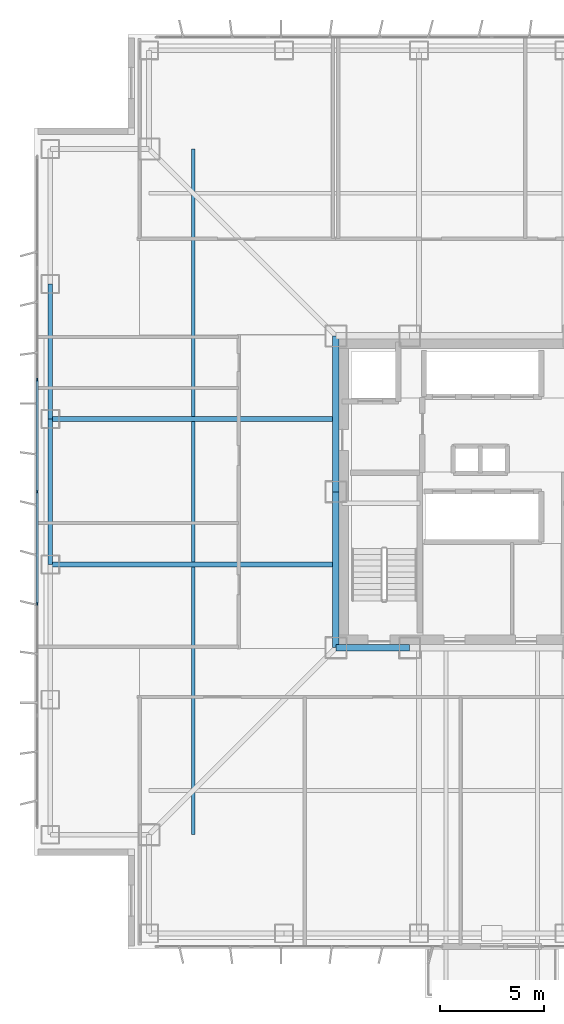
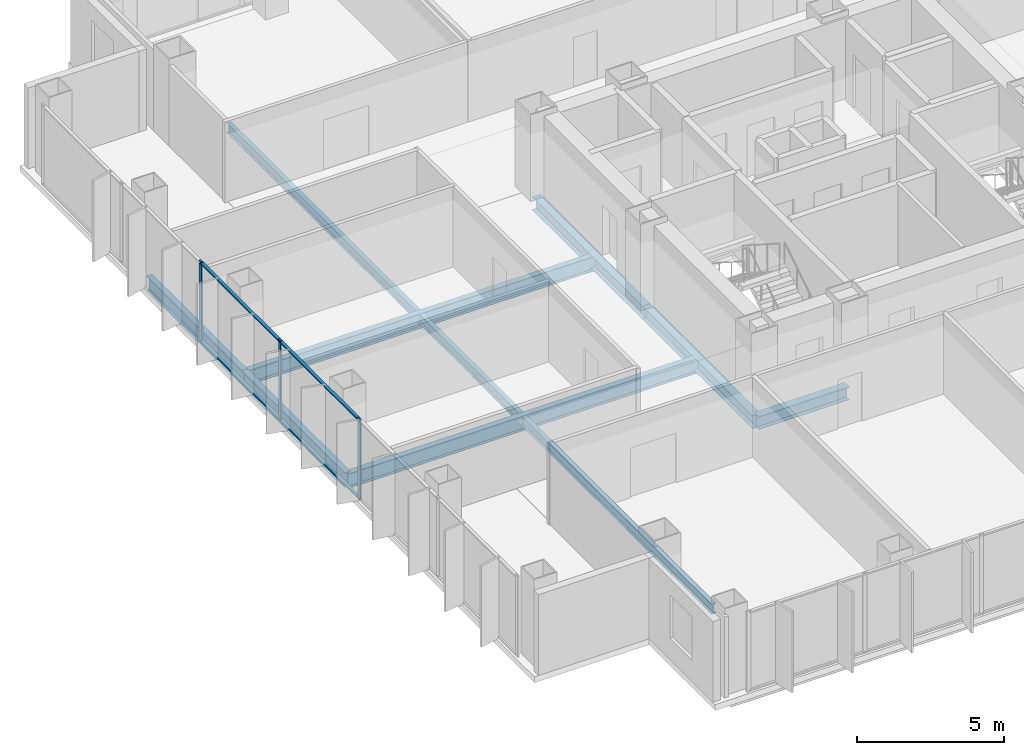
# One storey, part 5 of 18: 8 beams, 7 members, 1 element without a shape of its own.
"""IFC4 building model written with IfcOpenShell, lengths in metres."""

from ifc_helpers import new_model, si_unit, direction, frame, origin, origin_2d, place, context, subcontext, project, spatial, rectangle, i_section, extrude, material, layer, layer_set, material_profile, profile_set, type_object, element, aggregate, save


model = new_model("IFC4")

# Units and contexts
model_context = context("Model", 3, precision=1e-05, world=origin(), true_north=direction((0.0, 1.0)))
body_context = subcontext(model_context, "Body", "Model", "MODEL_VIEW")
ifc_project = project(units=[si_unit("LENGTHUNIT", "METRE"), si_unit("AREAUNIT", "SQUARE_METRE"), si_unit("VOLUMEUNIT", "CUBIC_METRE"), si_unit("PLANEANGLEUNIT", "RADIAN"), si_unit("MASSUNIT", "GRAM", prefix="KILO")], contexts=[model_context])

# Site, building, storey
site_placement = place(None, origin())
site = spatial("IfcSite", under=ifc_project, at=site_placement, CompositionType="ELEMENT")
building_placement = place(site_placement, origin())
building = spatial("IfcBuilding", under=site, at=building_placement, Name="Trevonay Congress Spire", CompositionType="ELEMENT")
storey_placement = place(building_placement, frame((0.0, 0.0, 104.800048828125)))
storey = spatial("IfcBuildingStorey", under=building, at=storey_placement, Name="L26", CompositionType="ELEMENT", Elevation=104.800048828125)

# Beams
ifc_material_1 = material(Name="Steel ASTM A572 Grade 50", Category="steel")
ifc_material_profile_1 = material_profile(ifc_material_1, i_section(OverallWidth=0.31201171875, OverallDepth=0.54296875, WebThickness=0.0126953125, FlangeThickness=0.020263671875, FilletRadius=0.014892578125, at=origin_2d()), Name="W530x150")
ifc_profile_set_1 = profile_set([ifc_material_profile_1], Name="Steel ASTM A572 Grade 50")
beam_type_1 = type_object("IfcBeamType", Name="BM-GIRD-W530X150", PredefinedType="BEAM", material=ifc_profile_set_1)
beam_1_placement = place(storey_placement, frame((-7.5, -7.5, -0.511474609375), z_axis=(1.0, 0.0, 0.0), x_axis=(0.0, 1.0, 0.0)))
element("IfcBeam", 1, at=beam_1_placement, inside=storey, type_object=beam_type_1, Name="L26 structural beam BM-L26-CR-S1", PredefinedType="BEAM", context=body_context, shape_type="SweptSolid", body=[
    extrude(i_section(OverallWidth=0.31201171875, OverallDepth=0.54296875, WebThickness=0.0126953125, FlangeThickness=0.020263671875, FilletRadius=0.014892578125, at=origin_2d()), origin(), (0.0, 0.0, 1.0), 3.550048828125),
])
for number, where, z_axis, x_axis, name in (
    (2, (-7.5, -7.5, -0.511474609375), (0.0, 1.0, 0.0), (-1.0, 0.0, 0.0), "L26 structural beam BM-L26-CR-W1"),
    (3, (-7.5, 0.0, -0.511474609375), (0.0, 1.0, 0.0), (-1.0, 0.0, 0.0), "L26 structural beam BM-L26-CR-W2"),
):
    element("IfcBeam", number, at=place(storey_placement, frame(where, z_axis=z_axis, x_axis=x_axis)), inside=storey, type_object=beam_type_1, Name=name, PredefinedType="BEAM", context=body_context, shape_type="SweptSolid", body=[
        extrude(i_section(OverallWidth=0.31201171875, OverallDepth=0.54296875, WebThickness=0.0126953125, FlangeThickness=0.020263671875, FilletRadius=0.014892578125, at=origin_2d()), origin(), (0.0, 0.0, 1.0), 7.5),
    ])
ifc_material_profile_2 = material_profile(ifc_material_1, i_section(OverallWidth=0.22998046875, OverallDepth=0.616943359375, WebThickness=0.01318359375, FlangeThickness=0.022216796875, FilletRadius=0.01611328125, at=origin_2d()), Name="W610x140")
ifc_profile_set_2 = profile_set([ifc_material_profile_2], Name="Steel ASTM A572 Grade 50")
beam_type_2 = type_object("IfcBeamType", Name="BM-GIRD-W610X140", PredefinedType="BEAM", material=ifc_profile_set_2)
for number, where, z_axis, x_axis, name in (
    (4, (-7.5, -3.5, -0.548583984375), (-1.0, 0.0, 0.0), (0.0, -1.0, 0.0), "L26 structural beam BM-L26-GW-M"),
    (5, (-7.5, 3.5, -0.548583984375), (-1.0, 0.0, 0.0), (0.0, -1.0, 0.0), "L26 structural beam BM-L26-GW-P"),
):
    element("IfcBeam", number, at=place(storey_placement, frame(where, z_axis=z_axis, x_axis=x_axis)), inside=storey, type_object=beam_type_2, Name=name, PredefinedType="BEAM", context=body_context, shape_type="SweptSolid", body=[
        extrude(i_section(OverallWidth=0.22998046875, OverallDepth=0.616943359375, WebThickness=0.01318359375, FlangeThickness=0.022216796875, FilletRadius=0.01611328125, at=origin_2d()), origin(), (0.0, 0.0, 1.0), 13.75),
    ])
ifc_material_profile_3 = material_profile(ifc_material_1, i_section(OverallWidth=0.22802734375, OverallDepth=0.60791015625, WebThickness=0.01123046875, FlangeThickness=0.017333984375, FilletRadius=0.01611328125, at=origin_2d()), Name="W610x113")
ifc_profile_set_3 = profile_set([ifc_material_profile_3], Name="Steel ASTM A572 Grade 50")
beam_type_3 = type_object("IfcBeamType", Name="BM-RING-W610X113", PredefinedType="BEAM", material=ifc_profile_set_3)
beam_2_placement = place(storey_placement, frame((-21.25, -3.5, -0.5439453125), z_axis=(0.0, 1.0, 0.0), x_axis=(-1.0, 0.0, 0.0)))
element("IfcBeam", 6, at=beam_2_placement, inside=storey, type_object=beam_type_3, Name="L26 structural beam BM-L26-PW3", PredefinedType="BEAM", context=body_context, shape_type="SweptSolid", body=[
    extrude(i_section(OverallWidth=0.22802734375, OverallDepth=0.60791015625, WebThickness=0.01123046875, FlangeThickness=0.017333984375, FilletRadius=0.01611328125, at=origin_2d()), origin(), (0.0, 0.0, 1.0), 7.0),
])
beam_3_placement = place(storey_placement, frame((-21.25, 3.5, -0.5439453125), z_axis=(0.0, 1.0, 0.0), x_axis=(-1.0, 0.0, 0.0)))
element("IfcBeam", 7, at=beam_3_placement, inside=storey, type_object=beam_type_3, Name="L26 structural beam BM-L26-PW4", PredefinedType="BEAM", context=body_context, shape_type="SweptSolid", body=[
    extrude(i_section(OverallWidth=0.22802734375, OverallDepth=0.60791015625, WebThickness=0.01123046875, FlangeThickness=0.017333984375, FilletRadius=0.01611328125, at=origin_2d()), origin(), (0.0, 0.0, 1.0), 6.5),
])

# Curtain wall, members
ifc_material_2 = material(Name="Pale Anodised Aluminium EN AW-6063-T6", Category="aluminium")
ifc_layer = layer(ifc_material_2, 0.175048828125, Name="Pale Anodised Aluminium EN AW-6063-T6")
ifc_layer_set = layer_set([ifc_layer], Name="Pale Anodised Aluminium EN AW-6063-T6")
curtain_wall_type = type_object("IfcCurtainWallType", Name="CW-SYS03-CONGRESS-PALE-METAL", PredefinedType="NOTDEFINED", material=ifc_layer_set)
curtain_wall_placement = place(storey_placement, origin())
curtain_wall = element("IfcCurtainWall", 8, at=curtain_wall_placement, inside=storey, type_object=curtain_wall_type, Name="L26 W unitised curtain wall", PredefinedType="NOTDEFINED")
ifc_material_profile_4 = material_profile(ifc_material_2, rectangle(XDim=0.06005859375, YDim=0.159912109375, at=origin_2d()), Name="CW-MULLION-160-ALUMINIUM")
ifc_profile_set_4 = profile_set([ifc_material_profile_4], Name="Pale Anodised Aluminium EN AW-6063-T6")
member_type_1 = type_object("IfcMemberType", Name="CW-MULLION-160-ALUMINIUM", PredefinedType="MULLION", material=ifc_profile_set_4)
member_1_placement = place(storey_placement, frame((-21.8798828125, -5.38330078125, 0.0), z_axis=(0.0, 0.0, 1.0), x_axis=(-1.0, 0.0, 0.0)))
member_1 = element("IfcMember", 9, at=member_1_placement, type_object=member_type_1, Name="CW03 mullion 3", PredefinedType="MULLION", context=body_context, shape_type="SweptSolid", body=[
    extrude(rectangle(XDim=0.06005859375, YDim=0.159912109375, at=origin_2d()), origin(), (0.0, 0.0, 1.0), 3.35986328125),
])
member_2_placement = place(storey_placement, frame((-21.8798828125, 0.0, 0.0), z_axis=(0.0, 0.0, 1.0), x_axis=(-1.0, 0.0, 0.0)))
member_2 = element("IfcMember", 10, at=member_2_placement, type_object=member_type_1, Name="CW03 mullion 4", PredefinedType="MULLION", context=body_context, shape_type="SweptSolid", body=[
    extrude(rectangle(XDim=0.06005859375, YDim=0.159912109375, at=origin_2d()), origin(), (0.0, 0.0, 1.0), 3.35986328125),
])
member_3_placement = place(storey_placement, frame((-21.8798828125, 5.38330078125, 0.0), z_axis=(0.0, 0.0, 1.0), x_axis=(-1.0, 0.0, 0.0)))
member_3 = element("IfcMember", 11, at=member_3_placement, type_object=member_type_1, Name="CW03 mullion 5", PredefinedType="MULLION", context=body_context, shape_type="SweptSolid", body=[
    extrude(rectangle(XDim=0.06005859375, YDim=0.159912109375, at=origin_2d()), origin(), (0.0, 0.0, 1.0), 3.35986328125),
])
ifc_material_profile_5 = material_profile(ifc_material_2, rectangle(XDim=0.1201171875, YDim=0.06005859375, at=origin_2d()), Name="CW-TRANSOM-120-ALUMINIUM")
ifc_profile_set_5 = profile_set([ifc_material_profile_5], Name="Pale Anodised Aluminium EN AW-6063-T6")
member_type_2 = type_object("IfcMemberType", Name="CW-TRANSOM-120-ALUMINIUM", PredefinedType="USERDEFINED", material=ifc_profile_set_5)
member_4_placement = place(storey_placement, frame((-21.8798828125, -5.353271484375, 0.06005859375), z_axis=(0.0, 1.0, 0.0), x_axis=(-1.0, 0.0, 0.0)))
member_4 = element("IfcMember", 12, at=member_4_placement, type_object=member_type_2, Name="CW03 transom 3.1", ObjectType="TRANSOM", PredefinedType="USERDEFINED", context=body_context, shape_type="SweptSolid", body=[
    extrude(rectangle(XDim=0.1201171875, YDim=0.06005859375, at=origin_2d()), origin(), (0.0, 0.0, 1.0), 5.3232421875),
])
member_5_placement = place(storey_placement, frame((-21.8798828125, -5.353271484375, 3.300048828125), z_axis=(0.0, 1.0, 0.0), x_axis=(-1.0, 0.0, 0.0)))
member_5 = element("IfcMember", 13, at=member_5_placement, type_object=member_type_2, Name="CW03 transom 3.2", ObjectType="TRANSOM", PredefinedType="USERDEFINED", context=body_context, shape_type="SweptSolid", body=[
    extrude(rectangle(XDim=0.1201171875, YDim=0.06005859375, at=origin_2d()), origin(), (0.0, 0.0, 1.0), 5.3232421875),
])
member_6_placement = place(storey_placement, frame((-21.8798828125, 0.030029296875, 0.06005859375), z_axis=(0.0, 1.0, 0.0), x_axis=(-1.0, 0.0, 0.0)))
member_6 = element("IfcMember", 14, at=member_6_placement, type_object=member_type_2, Name="CW03 transom 4.1", ObjectType="TRANSOM", PredefinedType="USERDEFINED", context=body_context, shape_type="SweptSolid", body=[
    extrude(rectangle(XDim=0.1201171875, YDim=0.06005859375, at=origin_2d()), origin(), (0.0, 0.0, 1.0), 5.3232421875),
])
member_7_placement = place(storey_placement, frame((-21.8798828125, 0.030029296875, 3.300048828125), z_axis=(0.0, 1.0, 0.0), x_axis=(-1.0, 0.0, 0.0)))
member_7 = element("IfcMember", 15, at=member_7_placement, type_object=member_type_2, Name="CW03 transom 4.2", ObjectType="TRANSOM", PredefinedType="USERDEFINED", context=body_context, shape_type="SweptSolid", body=[
    extrude(rectangle(XDim=0.1201171875, YDim=0.06005859375, at=origin_2d()), origin(), (0.0, 0.0, 1.0), 5.3232421875),
])
aggregate(curtain_wall, [member_1, member_2, member_3, member_4, member_5, member_6, member_7])

# Beam
ifc_material_profile_6 = material_profile(ifc_material_1, i_section(OverallWidth=0.177978515625, OverallDepth=0.406982421875, WebThickness=0.0078125, FlangeThickness=0.0126953125, FilletRadius=0.012939453125, at=origin_2d()), Name="W410x60")
ifc_profile_set_6 = profile_set([ifc_material_profile_6], Name="Steel ASTM A572 Grade 50")
beam_type_4 = type_object("IfcBeamType", Name="JS-COMP-W410X60", PredefinedType="JOIST", material=ifc_profile_set_6)
beam_4_placement = place(storey_placement, frame((-14.375, -16.5, -0.443603515625), z_axis=(0.0, 1.0, 0.0), x_axis=(-1.0, 0.0, 0.0)))
element("IfcBeam", 16, at=beam_4_placement, inside=storey, type_object=beam_type_4, Name="L26 structural beam JS-L26-RING-W", PredefinedType="JOIST", context=body_context, shape_type="SweptSolid", body=[
    extrude(i_section(OverallWidth=0.177978515625, OverallDepth=0.406982421875, WebThickness=0.0078125, FlangeThickness=0.0126953125, FilletRadius=0.012939453125, at=origin_2d()), origin(), (0.0, 0.0, 1.0), 33.0),
])

save(model, "model.ifc")
